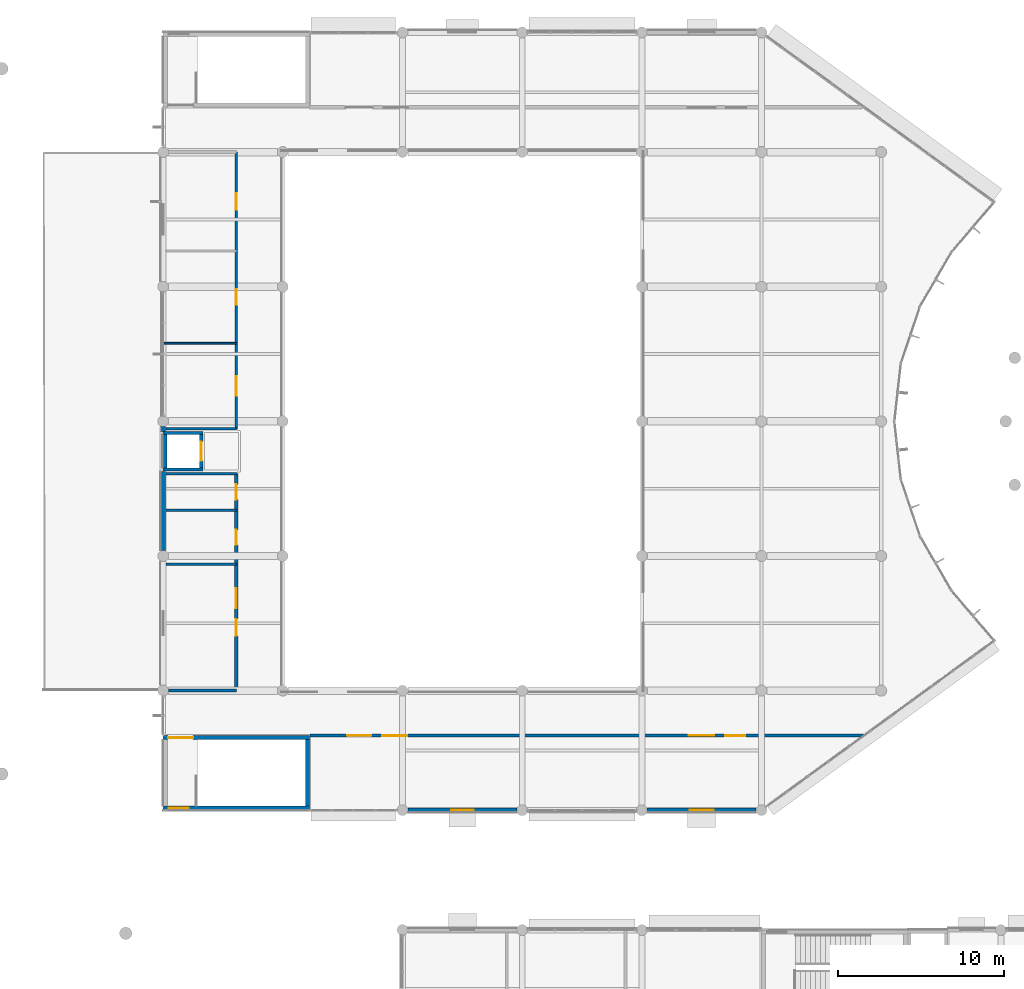
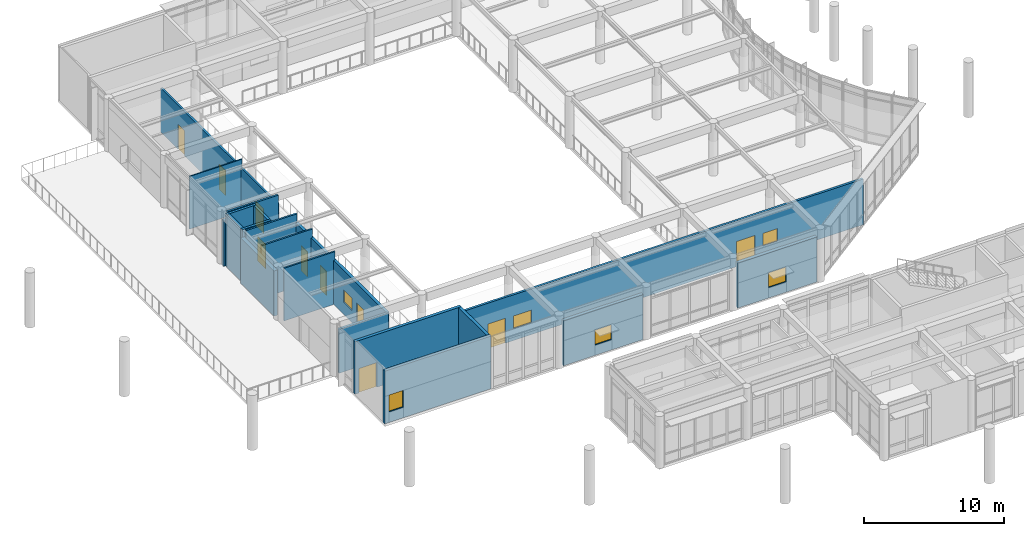
# One storey, part 46 of 92: 20 walls, 10 doors, 6 windows, 16 openings.
"""IFC4 building model written with IfcOpenShell, lengths in metres."""

from ifc_helpers import new_model, si_unit, direction, frame, frame_2d, origin, place, context, subcontext, project, spatial, rectangle, extrude, material, layer, layer_set, type_object, element, fill, save


model = new_model("IFC4")

# Units and contexts
model_context = context("Model", 3, precision=1e-05, world=origin(), true_north=direction((0.0, 1.0)))
body_context = subcontext(model_context, "Body", "Model", "MODEL_VIEW")
ifc_project = project(units=[si_unit("LENGTHUNIT", "METRE"), si_unit("AREAUNIT", "SQUARE_METRE"), si_unit("VOLUMEUNIT", "CUBIC_METRE"), si_unit("PLANEANGLEUNIT", "RADIAN"), si_unit("MASSUNIT", "GRAM", prefix="KILO")], contexts=[model_context])

# Site, building, storey
site_placement = place(None, origin())
site = spatial("IfcSite", under=ifc_project, at=site_placement, CompositionType="ELEMENT")
building_placement = place(site_placement, origin())
building = spatial("IfcBuilding", under=site, at=building_placement, Name="Namkhue Oval Health Centre", CompositionType="ELEMENT")
storey_placement = place(building_placement, frame((0.0, 0.0, 4.800048828125)))
storey = spatial("IfcBuildingStorey", under=building, at=storey_placement, Name="L01", CompositionType="ELEMENT", Elevation=4.800048828125)

# Wall, opening, window
ifc_material_1 = material(Name="Autoclaved aerated concrete blockwork M7.5", Category="masonry")
ifc_layer_1 = layer(ifc_material_1, 0.25)
ifc_layer_set_1 = layer_set([ifc_layer_1], Name="Autoclaved aerated concrete blockwork M7.5")
wall_type_1 = type_object("IfcWallType", Name="EXTERIOR ENVELOPE WALL 250", PredefinedType="STANDARD", material=ifc_layer_set_1)
wall_1_placement = place(storey_placement, frame((36.320068359375, 36.0, 0.0), z_axis=(0.0, 0.0, 1.0), x_axis=(1.0, 0.0, 0.0)))
wall_1 = element("IfcWall", 1, at=wall_1_placement, inside=storey, type_object=wall_type_1, Name="Volume V1 L01 Exterior Envelope Wall 8", PredefinedType="STANDARD", context=body_context, shape_type="SweptSolid", body=[
    extrude(rectangle(XDim=6.559814453125, YDim=0.25, at=frame_2d((3.27978515625, 0.0))), origin(), (0.0, 0.0, 1.0), 3.949951171875),
])
opening_1_placement = place(wall_1_placement, frame((2.60498046875, 0.0, 0.89990234375)))
opening_1 = element("IfcOpeningElement", 2, at=opening_1_placement, cuts=wall_1, Name="Opening WN-05", PredefinedType="OPENING", context=body_context, shape_type="SweptSolid", body=[
    extrude(rectangle(XDim=1.35009765625, YDim=1.300048828125, at=frame_2d((0.675048828125, 0.64990234375))), frame((0.0, 0.135009765625, 0.0), z_axis=(0.0, -1.0, 0.0), x_axis=(1.0, 0.0, 0.0)), (0.0, 0.0, 1.0), 0.27001953125),
])
ifc_material_2 = material(Name="Thermally broken low-E laminated double glazing", Category="glass")
window_type_1 = type_object("IfcWindowType", Name="EXTERIOR WINDOW 1350X1300", PartitioningType="SINGLE_PANEL", PredefinedType="WINDOW", material=ifc_material_2)
window_1_placement = place(opening_1_placement, origin())
window_1 = element("IfcWindow", 3, at=window_1_placement, inside=storey, type_object=window_type_1, Name="Volume V1 L01 Exterior Window 5", OverallHeight=1.300048828125, OverallWidth=1.35009765625, PartitioningType="SINGLE_PANEL", PredefinedType="WINDOW", context=body_context, shape_type="SweptSolid", body=[
    extrude(rectangle(XDim=1.35009765625, YDim=1.300048828125, at=frame_2d((0.675048828125, 0.64990234375))), frame((0.0, 0.030029296875, 0.0), z_axis=(0.0, -1.0, 0.0), x_axis=(1.0, 0.0, 0.0)), (0.0, 0.0, 1.0), 0.06005859375),
])
fill(opening_1, window_1)

ifc_layer_2 = layer(ifc_material_1, 0.260009765625)
ifc_layer_set_2 = layer_set([ifc_layer_2], Name="Autoclaved aerated concrete blockwork M7.5")
wall_type_2 = type_object("IfcWallType", Name="EXTERIOR ENVELOPE WALL 260", PredefinedType="STANDARD", material=ifc_layer_set_2)
wall_2_placement = place(storey_placement, frame((50.719970703125, 36.0, 0.0), z_axis=(0.0, 0.0, 1.0), x_axis=(1.0, 0.0, 0.0)))
wall_2 = element("IfcWall", 4, at=wall_2_placement, inside=storey, type_object=wall_type_2, Name="Volume V1 L01 Exterior Envelope Wall 9", PredefinedType="STANDARD", context=body_context, shape_type="SweptSolid", body=[
    extrude(rectangle(XDim=6.56005859375, YDim=0.260009765625, at=frame_2d((3.280029296875, 0.0))), origin(), (0.0, 0.0, 1.0), 3.949951171875),
])
opening_2_placement = place(wall_2_placement, frame((2.554931640625, 0.0, 0.89990234375)))
opening_2 = element("IfcOpeningElement", 5, at=opening_2_placement, cuts=wall_2, Name="Opening WN-06", PredefinedType="OPENING", context=body_context, shape_type="SweptSolid", body=[
    extrude(rectangle(XDim=1.449951171875, YDim=1.300048828125, at=frame_2d((0.72509765625, 0.64990234375))), frame((0.0, 0.139892578125, 0.0), z_axis=(0.0, -1.0, 0.0), x_axis=(1.0, 0.0, 0.0)), (0.0, 0.0, 1.0), 0.280029296875),
])
window_type_2 = type_object("IfcWindowType", Name="EXTERIOR WINDOW 1450X1300", PartitioningType="SINGLE_PANEL", PredefinedType="WINDOW", material=ifc_material_2)
window_2_placement = place(opening_2_placement, origin())
window_2 = element("IfcWindow", 6, at=window_2_placement, inside=storey, type_object=window_type_2, Name="Volume V1 L01 Exterior Window 6", OverallHeight=1.300048828125, OverallWidth=1.449951171875, PartitioningType="SINGLE_PANEL", PredefinedType="WINDOW", context=body_context, shape_type="SweptSolid", body=[
    extrude(rectangle(XDim=1.449951171875, YDim=1.300048828125, at=frame_2d((0.72509765625, 0.64990234375))), frame((0.0, 0.030029296875, 0.0), z_axis=(0.0, -1.0, 0.0), x_axis=(1.0, 0.0, 0.0)), (0.0, 0.0, 1.0), 0.06005859375),
])
fill(opening_2, window_2)

# Walls
ifc_layer_3 = layer(ifc_material_1, 0.300048828125)
ifc_layer_set_3 = layer_set([ifc_layer_3], Name="Autoclaved aerated concrete blockwork M7.5")
wall_type_3 = type_object("IfcWallType", Name="EXTERIOR ENVELOPE WALL 300", PredefinedType="STANDARD", material=ifc_layer_set_3)
wall_3_placement = place(storey_placement, frame((21.60009765625, 59.080078125, 0.0), z_axis=(0.0, 0.0, 1.0), x_axis=(0.0, -1.0, 0.0)))
element("IfcWall", 7, at=wall_3_placement, inside=storey, type_object=wall_type_3, Name="Volume V1 L01 Exterior Envelope Wall 13", PredefinedType="STANDARD", context=body_context, shape_type="SweptSolid", body=[
    extrude(rectangle(XDim=0.278076171875, YDim=0.300048828125, at=frame_2d((0.13916015625, 0.0))), origin(), (0.0, 0.0, 1.0), 3.949951171875),
])
ifc_layer_4 = layer(ifc_material_1, 0.31005859375)
ifc_layer_set_4 = layer_set([ifc_layer_4], Name="Autoclaved aerated concrete blockwork M7.5")
wall_type_4 = type_object("IfcWallType", Name="EXTERIOR ENVELOPE WALL 310", PredefinedType="STANDARD", material=ifc_layer_set_4)
wall_4_placement = place(storey_placement, frame((21.60009765625, 56.39794921875, 0.0), z_axis=(0.0, 0.0, 1.0), x_axis=(0.0, -1.0, 0.0)))
element("IfcWall", 8, at=wall_4_placement, inside=storey, type_object=wall_type_4, Name="Volume V1 L01 Exterior Envelope Wall 14", PredefinedType="STANDARD", context=body_context, shape_type="SweptSolid", body=[
    extrude(rectangle(XDim=4.77783203125, YDim=0.31005859375, at=frame_2d((2.388916015625, 0.0))), origin(), (0.0, 0.0, 1.0), 3.949951171875),
])

# Wall, openings, doors
ifc_material_3 = material(Name="Gypsum plasterboard acoustic partition", Category="gypsum")
ifc_layer_5 = layer(ifc_material_3, 0.169921875)
ifc_layer_set_5 = layer_set([ifc_layer_5], Name="Gypsum plasterboard acoustic partition")
wall_type_5 = type_object("IfcWallType", Name="FIRE PARTITION WALL 170", PredefinedType="PARTITIONING", material=ifc_layer_set_5)
wall_5_placement = place(storey_placement, frame((26.0, 58.949951171875, 0.0), z_axis=(0.0, 0.0, 1.0), x_axis=(0.0, 1.0, 0.0)))
wall_5 = element("IfcWall", 9, at=wall_5_placement, inside=storey, type_object=wall_type_5, Name="Volume V1 L01 Clinical Partition Wall 22", PredefinedType="PARTITIONING", context=body_context, shape_type="SweptSolid", body=[
    extrude(rectangle(XDim=16.650146484375, YDim=0.169921875, at=frame_2d((8.3251953125, 0.0))), origin(), (0.0, 0.0, 1.0), 3.849853515625),
])
opening_3_placement = place(wall_5_placement, frame((2.0, 0.0, 0.0)))
opening_3 = element("IfcOpeningElement", 10, at=opening_3_placement, cuts=wall_5, Name="Opening CD-12", PredefinedType="OPENING", context=body_context, shape_type="SweptSolid", body=[
    extrude(rectangle(XDim=1.14990234375, YDim=2.1298828125, at=frame_2d((0.574951171875, 1.06494140625))), frame((0.0, 0.094970703125, 0.0), z_axis=(0.0, -1.0, 0.0), x_axis=(1.0, 0.0, 0.0)), (0.0, 0.0, 1.0), 0.18994140625),
])
opening_4_placement = place(wall_5_placement, frame((7.465087890625, 0.0, 0.0)))
opening_4 = element("IfcOpeningElement", 11, at=opening_4_placement, cuts=wall_5, Name="Opening CD-13", PredefinedType="OPENING", context=body_context, shape_type="SweptSolid", body=[
    extrude(rectangle(XDim=0.919921875, YDim=2.179931640625, at=frame_2d((0.4599609375, 1.08984375))), frame((0.0, 0.094970703125, 0.0), z_axis=(0.0, -1.0, 0.0), x_axis=(1.0, 0.0, 0.0)), (0.0, 0.0, 1.0), 0.18994140625),
])
opening_5_placement = place(wall_5_placement, frame((13.18994140625, 0.0, 0.0)))
opening_5 = element("IfcOpeningElement", 12, at=opening_5_placement, cuts=wall_5, Name="Opening CD-14", PredefinedType="OPENING", context=body_context, shape_type="SweptSolid", body=[
    extrude(rectangle(XDim=0.969970703125, YDim=2.179931640625, at=frame_2d((0.48486328125, 1.08984375))), frame((0.0, 0.094970703125, 0.0), z_axis=(0.0, -1.0, 0.0), x_axis=(1.0, 0.0, 0.0)), (0.0, 0.0, 1.0), 0.18994140625),
])
ifc_material_4 = material(Name="High-pressure laminate timber clinical door", Category="wood")
door_type_1 = type_object("IfcDoorType", Name="CLINICAL DOOR 1150X2130", OperationType="NOTDEFINED", PredefinedType="DOOR", material=ifc_material_4)
door_1_placement = place(opening_3_placement, origin())
door_1 = element("IfcDoor", 13, at=door_1_placement, inside=storey, type_object=door_type_1, Name="Volume V1 L01 Telemedicine Consultation Suite Door 14", OperationType="SINGLE_SWING_RIGHT", OverallHeight=2.1298828125, OverallWidth=1.14990234375, PredefinedType="DOOR", context=body_context, shape_type="SweptSolid", body=[
    extrude(rectangle(XDim=1.14990234375, YDim=2.1298828125, at=frame_2d((0.574951171875, 1.06494140625))), frame((0.0, 0.02490234375, 0.0), z_axis=(0.0, -1.0, 0.0), x_axis=(1.0, 0.0, 0.0)), (0.0, 0.0, 1.0), 0.050048828125),
])
fill(opening_3, door_1)
door_type_2 = type_object("IfcDoorType", Name="CLINICAL DOOR 920X2180", OperationType="NOTDEFINED", PredefinedType="DOOR", material=ifc_material_4)
door_2_placement = place(opening_4_placement, origin())
door_2 = element("IfcDoor", 14, at=door_2_placement, inside=storey, type_object=door_type_2, Name="Volume V1 L01 Nutrition Counselling Room Door 15", OperationType="SINGLE_SWING_LEFT", OverallHeight=2.179931640625, OverallWidth=0.919921875, PredefinedType="DOOR", context=body_context, shape_type="SweptSolid", body=[
    extrude(rectangle(XDim=0.919921875, YDim=2.179931640625, at=frame_2d((0.4599609375, 1.08984375))), frame((0.0, 0.02490234375, 0.0), z_axis=(0.0, -1.0, 0.0), x_axis=(1.0, 0.0, 0.0)), (0.0, 0.0, 1.0), 0.050048828125),
])
fill(opening_4, door_2)
door_type_3 = type_object("IfcDoorType", Name="CLINICAL DOOR 970X2180", OperationType="NOTDEFINED", PredefinedType="DOOR", material=ifc_material_4)
door_3_placement = place(opening_5_placement, origin())
door_3 = element("IfcDoor", 15, at=door_3_placement, inside=storey, type_object=door_type_3, Name="Volume V1 L01 Pharmacy Compounding Laboratory Door 16", OperationType="SINGLE_SWING_RIGHT", OverallHeight=2.179931640625, OverallWidth=0.969970703125, PredefinedType="DOOR", context=body_context, shape_type="SweptSolid", body=[
    extrude(rectangle(XDim=0.969970703125, YDim=2.179931640625, at=frame_2d((0.48486328125, 1.08984375))), frame((0.0, 0.02490234375, 0.0), z_axis=(0.0, -1.0, 0.0), x_axis=(1.0, 0.0, 0.0)), (0.0, 0.0, 1.0), 0.050048828125),
])
fill(opening_5, door_3)

# Wall
ifc_layer_6 = layer(ifc_material_3, 0.18505859375)
ifc_layer_set_6 = layer_set([ifc_layer_6], Name="Gypsum plasterboard acoustic partition")
wall_type_6 = type_object("IfcWallType", Name="FIRE PARTITION WALL 185", PredefinedType="PARTITIONING", material=ifc_layer_set_6)
wall_6_placement = place(storey_placement, frame((21.925048828125, 43.199951171875, 0.0), z_axis=(0.0, 0.0, 1.0), x_axis=(1.0, 0.0, 0.0)))
element("IfcWall", 16, at=wall_6_placement, inside=storey, type_object=wall_type_6, Name="Volume V1 L01 Clinical Partition Wall 23", PredefinedType="PARTITIONING", context=body_context, shape_type="SweptSolid", body=[
    extrude(rectangle(XDim=4.074951171875, YDim=0.18505859375, at=frame_2d((2.03759765625, 0.0))), origin(), (0.0, 0.0, 1.0), 3.849853515625),
])

# Wall, openings, doors, windows
ifc_layer_7 = layer(ifc_material_3, 0.195068359375)
ifc_layer_set_7 = layer_set([ifc_layer_7], Name="Gypsum plasterboard acoustic partition")
wall_type_7 = type_object("IfcWallType", Name="FIRE PARTITION WALL 195", PredefinedType="PARTITIONING", material=ifc_layer_set_7)
wall_7_placement = place(storey_placement, frame((30.419921875, 40.5, 0.0), z_axis=(0.0, 0.0, 1.0), x_axis=(1.0, 0.0, 0.0)))
wall_7 = element("IfcWall", 17, at=wall_7_placement, inside=storey, type_object=wall_type_7, Name="Volume V1 L01 Clinical Partition Wall 31", PredefinedType="PARTITIONING", context=body_context, shape_type="SweptSolid", body=[
    extrude(rectangle(XDim=33.31005859375, YDim=0.195068359375, at=frame_2d((16.655029296875, 0.0))), origin(), (0.0, 0.0, 1.0), 4.0),
])
opening_6_placement = place(wall_7_placement, frame((2.25, 0.0, 0.0)))
opening_6 = element("IfcOpeningElement", 18, at=opening_6_placement, cuts=wall_7, Name="Opening CDD-03", PredefinedType="OPENING", context=body_context, shape_type="SweptSolid", body=[
    extrude(rectangle(XDim=1.4599609375, YDim=2.179931640625, at=frame_2d((0.72998046875, 1.08984375))), frame((0.0, 0.107421875, 0.0), z_axis=(0.0, -1.0, 0.0), x_axis=(1.0, 0.0, 0.0)), (0.0, 0.0, 1.0), 0.215087890625),
])
opening_7_placement = place(wall_7_placement, frame((4.360107421875, 0.0, 1.050048828125)))
opening_7 = element("IfcOpeningElement", 19, at=opening_7_placement, cuts=wall_7, Name="Opening IWN-02", PredefinedType="OPENING", context=body_context, shape_type="SweptSolid", body=[
    extrude(rectangle(XDim=1.5, YDim=1.10009765625, at=frame_2d((0.75, 0.550048828125))), frame((0.0, 0.107421875, 0.0), z_axis=(0.0, -1.0, 0.0), x_axis=(1.0, 0.0, 0.0)), (0.0, 0.0, 1.0), 0.215087890625),
])
opening_8_placement = place(wall_7_placement, frame((22.81005859375, 0.0, 0.0)))
opening_8 = element("IfcOpeningElement", 20, at=opening_8_placement, cuts=wall_7, Name="Opening CDD-04", PredefinedType="OPENING", context=body_context, shape_type="SweptSolid", body=[
    extrude(rectangle(XDim=1.5400390625, YDim=2.199951171875, at=frame_2d((0.77001953125, 1.10009765625))), frame((0.0, 0.107421875, 0.0), z_axis=(0.0, -1.0, 0.0), x_axis=(1.0, 0.0, 0.0)), (0.0, 0.0, 1.0), 0.215087890625),
])
opening_9_placement = place(wall_7_placement, frame((25.0, 0.0, 1.050048828125)))
opening_9 = element("IfcOpeningElement", 21, at=opening_9_placement, cuts=wall_7, Name="Opening IWN-01", PredefinedType="OPENING", context=body_context, shape_type="SweptSolid", body=[
    extrude(rectangle(XDim=1.199951171875, YDim=1.10009765625, at=frame_2d((0.60009765625, 0.550048828125))), frame((0.0, 0.107421875, 0.0), z_axis=(0.0, -1.0, 0.0), x_axis=(1.0, 0.0, 0.0)), (0.0, 0.0, 1.0), 0.215087890625),
])
ifc_material_5 = material(Name="Powder-coated steel fire door assembly", Category="steel")
door_type_4 = type_object("IfcDoorType", Name="CLINICAL DOOR DOUBLE 1460X2180", OperationType="DOUBLE_DOOR_SINGLE_SWING", PredefinedType="DOOR", material=ifc_material_5)
door_4_placement = place(opening_6_placement, origin())
door_4 = element("IfcDoor", 22, at=door_4_placement, inside=storey, type_object=door_type_4, Name="Volume V1 L01 Antenatal Clinic West Door 17", OperationType="DOUBLE_DOOR_SINGLE_SWING", OverallHeight=2.179931640625, OverallWidth=1.4599609375, PredefinedType="DOOR", context=body_context, shape_type="SweptSolid", body=[
    extrude(rectangle(XDim=1.4599609375, YDim=2.179931640625, at=frame_2d((0.72998046875, 1.08984375))), frame((0.0, 0.02490234375, 0.0), z_axis=(0.0, -1.0, 0.0), x_axis=(1.0, 0.0, 0.0)), (0.0, 0.0, 1.0), 0.050048828125),
])
fill(opening_6, door_4)
door_type_5 = type_object("IfcDoorType", Name="CLINICAL DOOR DOUBLE 1540X2200", OperationType="DOUBLE_DOOR_SINGLE_SWING", PredefinedType="DOOR", material=ifc_material_5)
door_5_placement = place(opening_8_placement, origin())
door_5 = element("IfcDoor", 23, at=door_5_placement, inside=storey, type_object=door_type_5, Name="Volume V1 L01 Antenatal Clinic Gallery Door 18", OperationType="DOUBLE_DOOR_SINGLE_SWING", OverallHeight=2.199951171875, OverallWidth=1.5400390625, PredefinedType="DOOR", context=body_context, shape_type="SweptSolid", body=[
    extrude(rectangle(XDim=1.5400390625, YDim=2.199951171875, at=frame_2d((0.77001953125, 1.10009765625))), frame((0.0, 0.02490234375, 0.0), z_axis=(0.0, -1.0, 0.0), x_axis=(1.0, 0.0, 0.0)), (0.0, 0.0, 1.0), 0.050048828125),
])
fill(opening_8, door_5)
ifc_material_6 = material(Name="Lead-equivalent radiation-shielded observation glass", Category="glass")
window_type_3 = type_object("IfcWindowType", Name="COURTYARD WINDOW OBSERVATION 1200X1100", PartitioningType="SINGLE_PANEL", PredefinedType="WINDOW", material=ifc_material_6)
window_3_placement = place(opening_9_placement, origin())
window_3 = element("IfcWindow", 24, at=window_3_placement, inside=storey, type_object=window_type_3, Name="Volume V1 L01 Clinical Observation Window 4", OverallHeight=1.10009765625, OverallWidth=1.199951171875, PartitioningType="SINGLE_PANEL", PredefinedType="WINDOW", context=body_context, shape_type="SweptSolid", body=[
    extrude(rectangle(XDim=1.199951171875, YDim=1.10009765625, at=frame_2d((0.60009765625, 0.550048828125))), frame((0.0, 0.030029296875, 0.0), z_axis=(0.0, -1.0, 0.0), x_axis=(1.0, 0.0, 0.0)), (0.0, 0.0, 1.0), 0.06005859375),
])
fill(opening_9, window_3)
window_type_4 = type_object("IfcWindowType", Name="COURTYARD WINDOW OBSERVATION 1500X1100", PartitioningType="SINGLE_PANEL", PredefinedType="WINDOW", material=ifc_material_6)
window_4_placement = place(opening_7_placement, origin())
window_4 = element("IfcWindow", 25, at=window_4_placement, inside=storey, type_object=window_type_4, Name="Volume V1 L01 Clinical Observation Window 3", OverallHeight=1.10009765625, OverallWidth=1.5, PartitioningType="SINGLE_PANEL", PredefinedType="WINDOW", context=body_context, shape_type="SweptSolid", body=[
    extrude(rectangle(XDim=1.5, YDim=1.10009765625, at=frame_2d((0.75, 0.550048828125))), frame((0.0, 0.030029296875, 0.0), z_axis=(0.0, -1.0, 0.0), x_axis=(1.0, 0.0, 0.0)), (0.0, 0.0, 1.0), 0.06005859375),
])
fill(opening_7, window_4)

# Wall, openings, doors, window
ifc_material_7 = material(Name="Lead-lined barium plasterboard radiation partition", Category="gypsum")
ifc_layer_8 = layer(ifc_material_7, 0.235107421875)
ifc_layer_set_8 = layer_set([ifc_layer_8], Name="Lead-lined barium plasterboard radiation partition")
wall_type_8 = type_object("IfcWallType", Name="FIRE PARTITION WALL 235", PredefinedType="PARTITIONING", material=ifc_layer_set_8)
wall_8_placement = place(storey_placement, frame((26.0, 43.199951171875, 0.0), z_axis=(0.0, 0.0, 1.0), x_axis=(0.0, 1.0, 0.0)))
wall_8 = element("IfcWall", 26, at=wall_8_placement, inside=storey, type_object=wall_type_8, Name="Volume V1 L01 Clinical Partition Wall 21", PredefinedType="PARTITIONING", context=body_context, shape_type="SweptSolid", body=[
    extrude(rectangle(XDim=13.050048828125, YDim=0.235107421875, at=frame_2d((6.52490234375, 0.0))), origin(), (0.0, 0.0, 1.0), 3.849853515625),
])
opening_10_placement = place(wall_8_placement, frame((3.300048828125, 0.0, 0.0)))
opening_10 = element("IfcOpeningElement", 27, at=opening_10_placement, cuts=wall_8, Name="Opening CD-09", PredefinedType="OPENING", context=body_context, shape_type="SweptSolid", body=[
    extrude(rectangle(XDim=1.0, YDim=2.1298828125, at=frame_2d((0.5, 1.06494140625))), frame((0.0, 0.12744140625, 0.0), z_axis=(0.0, -1.0, 0.0), x_axis=(1.0, 0.0, 0.0)), (0.0, 0.0, 1.0), 0.255126953125),
])
opening_11_placement = place(wall_8_placement, frame((4.949951171875, 0.0, 1.050048828125)))
opening_11 = element("IfcOpeningElement", 28, at=opening_11_placement, cuts=wall_8, Name="Opening IWN-01", PredefinedType="OPENING", context=body_context, shape_type="SweptSolid", body=[
    extrude(rectangle(XDim=1.199951171875, YDim=1.10009765625, at=frame_2d((0.60009765625, 0.550048828125))), frame((0.0, 0.12744140625, 0.0), z_axis=(0.0, -1.0, 0.0), x_axis=(1.0, 0.0, 0.0)), (0.0, 0.0, 1.0), 0.255126953125),
])
opening_12_placement = place(wall_8_placement, frame((8.77490234375, 0.0, 0.0)))
opening_12 = element("IfcOpeningElement", 29, at=opening_12_placement, cuts=wall_8, Name="Opening CD-07", PredefinedType="OPENING", context=body_context, shape_type="SweptSolid", body=[
    extrude(rectangle(XDim=0.89990234375, YDim=2.1298828125, at=frame_2d((0.449951171875, 1.06494140625))), frame((0.0, 0.12744140625, 0.0), z_axis=(0.0, -1.0, 0.0), x_axis=(1.0, 0.0, 0.0)), (0.0, 0.0, 1.0), 0.255126953125),
])
opening_13_placement = place(wall_8_placement, frame((11.489990234375, 0.0, 0.0)))
opening_13 = element("IfcOpeningElement", 30, at=opening_13_placement, cuts=wall_8, Name="Opening CD-13", PredefinedType="OPENING", context=body_context, shape_type="SweptSolid", body=[
    extrude(rectangle(XDim=0.919921875, YDim=2.179931640625, at=frame_2d((0.4599609375, 1.08984375))), frame((0.0, 0.12744140625, 0.0), z_axis=(0.0, -1.0, 0.0), x_axis=(1.0, 0.0, 0.0)), (0.0, 0.0, 1.0), 0.255126953125),
])
door_type_6 = type_object("IfcDoorType", Name="CLINICAL DOOR 1000X2130", OperationType="NOTDEFINED", PredefinedType="DOOR", material=ifc_material_4)
door_6_placement = place(opening_10_placement, origin())
door_6 = element("IfcDoor", 31, at=door_6_placement, inside=storey, type_object=door_type_6, Name="Volume V1 L01 Waiting Hall West Terrace Lounge Door 11", OperationType="SINGLE_SWING_LEFT", OverallHeight=2.1298828125, OverallWidth=1.0, PredefinedType="DOOR", context=body_context, shape_type="SweptSolid", body=[
    extrude(rectangle(XDim=1.0, YDim=2.1298828125, at=frame_2d((0.5, 1.06494140625))), frame((0.0, 0.02490234375, 0.0), z_axis=(0.0, -1.0, 0.0), x_axis=(1.0, 0.0, 0.0)), (0.0, 0.0, 1.0), 0.050048828125),
])
fill(opening_10, door_6)
door_type_7 = type_object("IfcDoorType", Name="CLINICAL DOOR 900X2130", OperationType="NOTDEFINED", PredefinedType="DOOR", material=ifc_material_4)
door_7_placement = place(opening_12_placement, origin())
door_7 = element("IfcDoor", 32, at=door_7_placement, inside=storey, type_object=door_type_7, Name="Volume V1 L01 Public Washroom Door 12", OperationType="SINGLE_SWING_RIGHT", OverallHeight=2.1298828125, OverallWidth=0.89990234375, PredefinedType="DOOR", context=body_context, shape_type="SweptSolid", body=[
    extrude(rectangle(XDim=0.89990234375, YDim=2.1298828125, at=frame_2d((0.449951171875, 1.06494140625))), frame((0.0, 0.02490234375, 0.0), z_axis=(0.0, -1.0, 0.0), x_axis=(1.0, 0.0, 0.0)), (0.0, 0.0, 1.0), 0.050048828125),
])
fill(opening_12, door_7)
door_8_placement = place(opening_13_placement, origin())
door_8 = element("IfcDoor", 33, at=door_8_placement, inside=storey, type_object=door_type_2, Name="Volume V1 L01 Accessible WC Door 13", OperationType="SINGLE_SWING_LEFT", OverallHeight=2.179931640625, OverallWidth=0.919921875, PredefinedType="DOOR", context=body_context, shape_type="SweptSolid", body=[
    extrude(rectangle(XDim=0.919921875, YDim=2.179931640625, at=frame_2d((0.4599609375, 1.08984375))), frame((0.0, 0.02490234375, 0.0), z_axis=(0.0, -1.0, 0.0), x_axis=(1.0, 0.0, 0.0)), (0.0, 0.0, 1.0), 0.050048828125),
])
fill(opening_13, door_8)
window_5_placement = place(opening_11_placement, origin())
window_5 = element("IfcWindow", 34, at=window_5_placement, inside=storey, type_object=window_type_3, Name="Volume V1 L01 Clinical Observation Window 2", OverallHeight=1.10009765625, OverallWidth=1.199951171875, PartitioningType="SINGLE_PANEL", PredefinedType="WINDOW", context=body_context, shape_type="SweptSolid", body=[
    extrude(rectangle(XDim=1.199951171875, YDim=1.10009765625, at=frame_2d((0.60009765625, 0.550048828125))), frame((0.0, 0.030029296875, 0.0), z_axis=(0.0, -1.0, 0.0), x_axis=(1.0, 0.0, 0.0)), (0.0, 0.0, 1.0), 0.06005859375),
])
fill(opening_11, window_5)

# Walls
ifc_layer_9 = layer(ifc_material_3, 0.10009765625)
ifc_layer_set_9 = layer_set([ifc_layer_9], Name="Gypsum plasterboard acoustic partition")
wall_type_9 = type_object("IfcWallType", Name="INTERIOR PARTITION WALL 100", PredefinedType="PARTITIONING", material=ifc_layer_set_9)
wall_9_placement = place(storey_placement, frame((21.639892578125, 64.10009765625, 0.0), z_axis=(0.0, 0.0, 1.0), x_axis=(1.0, 0.0, 0.0)))
element("IfcWall", 35, at=wall_9_placement, inside=storey, type_object=wall_type_9, Name="Volume V1 L01 Clinical Partition Wall 29", PredefinedType="PARTITIONING", context=body_context, shape_type="SweptSolid", body=[
    extrude(rectangle(XDim=4.360107421875, YDim=0.10009765625, at=frame_2d((2.18017578125, 0.0))), origin(), (0.0, 0.0, 1.0), 4.599853515625),
])
ifc_layer_10 = layer(ifc_material_3, 0.1298828125)
ifc_layer_set_10 = layer_set([ifc_layer_10], Name="Gypsum plasterboard acoustic partition")
wall_type_10 = type_object("IfcWallType", Name="INTERIOR PARTITION WALL 130", PredefinedType="PARTITIONING", material=ifc_layer_set_10)
wall_10_placement = place(storey_placement, frame((21.781982421875, 50.800048828125, 0.0), z_axis=(0.0, 0.0, 1.0), x_axis=(1.0, 0.0, 0.0)))
element("IfcWall", 36, at=wall_10_placement, inside=storey, type_object=wall_type_10, Name="Volume V1 L01 Clinical Partition Wall 25", PredefinedType="PARTITIONING", context=body_context, shape_type="SweptSolid", body=[
    extrude(rectangle(XDim=4.218017578125, YDim=0.1298828125, at=frame_2d((2.10888671875, 0.0))), origin(), (0.0, 0.0, 1.0), 4.599853515625),
])
ifc_layer_11 = layer(ifc_material_3, 0.139892578125)
ifc_layer_set_11 = layer_set([ifc_layer_11], Name="Gypsum plasterboard acoustic partition")
wall_type_11 = type_object("IfcWallType", Name="INTERIOR PARTITION WALL 140", PredefinedType="PARTITIONING", material=ifc_layer_set_11)
wall_11_placement = place(storey_placement, frame((21.777099609375, 54.050048828125, 0.0), z_axis=(0.0, 0.0, 1.0), x_axis=(1.0, 0.0, 0.0)))
element("IfcWall", 37, at=wall_11_placement, inside=storey, type_object=wall_type_11, Name="Volume V1 L01 Clinical Partition Wall 26", PredefinedType="PARTITIONING", context=body_context, shape_type="SweptSolid", body=[
    extrude(rectangle(XDim=4.222900390625, YDim=0.139892578125, at=frame_2d((2.111328125, 0.0))), origin(), (0.0, 0.0, 1.0), 4.599853515625),
])
ifc_layer_12 = layer(ifc_material_3, 0.14990234375)
ifc_layer_set_12 = layer_set([ifc_layer_12], Name="Gypsum plasterboard acoustic partition")
wall_type_12 = type_object("IfcWallType", Name="INTERIOR PARTITION WALL 150", PredefinedType="PARTITIONING", material=ifc_layer_set_12)
wall_12_placement = place(storey_placement, frame((21.777099609375, 56.25, 0.0), z_axis=(0.0, 0.0, 1.0), x_axis=(1.0, 0.0, 0.0)))
element("IfcWall", 38, at=wall_12_placement, inside=storey, type_object=wall_type_12, Name="Volume V1 L01 Clinical Partition Wall 27", PredefinedType="PARTITIONING", context=body_context, shape_type="SweptSolid", body=[
    extrude(rectangle(XDim=4.222900390625, YDim=0.14990234375, at=frame_2d((2.111328125, 0.0))), origin(), (0.0, 0.0, 1.0), 4.599853515625),
])
ifc_layer_13 = layer(ifc_material_3, 0.159912109375)
ifc_layer_set_13 = layer_set([ifc_layer_13], Name="Gypsum plasterboard acoustic partition")
wall_type_13 = type_object("IfcWallType", Name="INTERIOR PARTITION WALL 160", PredefinedType="PARTITIONING", material=ifc_layer_set_13)
wall_13_placement = place(storey_placement, frame((21.77197265625, 58.949951171875, 0.0), z_axis=(0.0, 0.0, 1.0), x_axis=(1.0, 0.0, 0.0)))
element("IfcWall", 39, at=wall_13_placement, inside=storey, type_object=wall_type_13, Name="Volume V1 L01 Clinical Partition Wall 28", PredefinedType="PARTITIONING", context=body_context, shape_type="SweptSolid", body=[
    extrude(rectangle(XDim=4.22802734375, YDim=0.159912109375, at=frame_2d((2.114013671875, 0.0))), origin(), (0.0, 0.0, 1.0), 4.599853515625),
])

# Wall, opening, window
ifc_material_8 = material(Name="Reinforced concrete C35/45 (TCVN B40)", Category="concrete")
ifc_layer_14 = layer(ifc_material_8, 0.25)
ifc_layer_set_14 = layer_set([ifc_layer_14], Name="Reinforced concrete C35/45 (TCVN B40)")
wall_type_14 = type_object("IfcWallType", Name="SHEAR CORE WALL EXT 250", PredefinedType="SHEAR", material=ifc_layer_set_14)
wall_14_placement = place(storey_placement, frame((21.60009765625, 36.125, 0.0), z_axis=(0.0, 0.0, 1.0), x_axis=(1.0, 0.0, 0.0)))
wall_14 = element("IfcWall", 40, at=wall_14_placement, inside=storey, type_object=wall_type_14, Name="Core SC-01 L01 Shear Wall S", PredefinedType="SHEAR", context=body_context, shape_type="SweptSolid", body=[
    extrude(rectangle(XDim=8.7998046875, YDim=0.25, at=frame_2d((4.39990234375, 0.0))), origin(), (0.0, 0.0, 1.0), 4.599853515625),
])
opening_14_placement = place(wall_14_placement, frame((0.35009765625, 0.0, 0.919921875)))
opening_14 = element("IfcOpeningElement", 41, at=opening_14_placement, cuts=wall_14, Name="Opening SWN-01", PredefinedType="OPENING", context=body_context, shape_type="SweptSolid", body=[
    extrude(rectangle(XDim=1.179931640625, YDim=1.47998046875, at=frame_2d((0.58984375, 0.739990234375))), frame((0.0, 0.135009765625, 0.0), z_axis=(0.0, -1.0, 0.0), x_axis=(1.0, 0.0, 0.0)), (0.0, 0.0, 1.0), 0.27001953125),
])
ifc_material_9 = material(Name="Fire-rated insulated safety double glazing", Category="glass")
window_type_5 = type_object("IfcWindowType", Name="EXTERIOR WINDOW STAIRWELL 1180X1480", PartitioningType="SINGLE_PANEL", PredefinedType="WINDOW", material=ifc_material_9)
window_6_placement = place(opening_14_placement, origin())
window_6 = element("IfcWindow", 42, at=window_6_placement, inside=storey, type_object=window_type_5, Name="Stair ST-01 L01 Stairwell Daylight Window", OverallHeight=1.47998046875, OverallWidth=1.179931640625, PartitioningType="SINGLE_PANEL", PredefinedType="WINDOW", context=body_context, shape_type="SweptSolid", body=[
    extrude(rectangle(XDim=1.179931640625, YDim=1.47998046875, at=frame_2d((0.58984375, 0.739990234375))), frame((0.0, 0.030029296875, 0.0), z_axis=(0.0, -1.0, 0.0), x_axis=(1.0, 0.0, 0.0)), (0.0, 0.0, 1.0), 0.06005859375),
])
fill(opening_14, window_6)

# Walls
wall_15_placement = place(storey_placement, frame((21.699951171875, 58.60009765625, 0.0), z_axis=(0.0, 0.0, 1.0), x_axis=(0.0, -1.0, 0.0)))
element("IfcWall", 43, at=wall_15_placement, inside=storey, type_object=wall_type_14, Name="Lift LF-08 L01 Shaft Wall W", PredefinedType="SHEAR", context=body_context, shape_type="SweptSolid", body=[
    extrude(rectangle(XDim=2.0, YDim=0.25, at=frame_2d((1.0, 0.0))), origin(), (0.0, 0.0, 1.0), 4.599853515625),
])
ifc_layer_15 = layer(ifc_material_8, 0.199951171875)
ifc_layer_set_15 = layer_set([ifc_layer_15], Name="Reinforced concrete C35/45 (TCVN B40)")
wall_type_15 = type_object("IfcWallType", Name="SHEAR CORE WALL INT 200", PredefinedType="SHEAR", material=ifc_layer_set_15)
wall_16_placement = place(storey_placement, frame((21.60009765625, 56.5, 0.0), z_axis=(0.0, 0.0, 1.0), x_axis=(1.0, 0.0, 0.0)))
element("IfcWall", 44, at=wall_16_placement, inside=storey, type_object=wall_type_15, Name="Lift LF-08 L01 Shaft Wall S", PredefinedType="SHEAR", context=body_context, shape_type="SweptSolid", body=[
    extrude(rectangle(XDim=2.39990234375, YDim=0.199951171875, at=frame_2d((1.199951171875, 0.0))), origin(), (0.0, 0.0, 1.0), 4.599853515625),
])

# Wall, opening, door
wall_17_placement = place(storey_placement, frame((23.89990234375, 56.60009765625, 0.0), z_axis=(0.0, 0.0, 1.0), x_axis=(0.0, 1.0, 0.0)))
wall_17 = element("IfcWall", 45, at=wall_17_placement, inside=storey, type_object=wall_type_15, Name="Lift LF-08 L01 Shaft Wall E", PredefinedType="SHEAR", context=body_context, shape_type="SweptSolid", body=[
    extrude(rectangle(XDim=2.0, YDim=0.199951171875, at=frame_2d((1.0, 0.0))), origin(), (0.0, 0.0, 1.0), 4.599853515625),
])
opening_15_placement = place(wall_17_placement, frame((0.425048828125, 0.0, 0.0)))
opening_15 = element("IfcOpeningElement", 46, at=opening_15_placement, cuts=wall_17, Name="Opening LD-02", PredefinedType="OPENING", context=body_context, shape_type="SweptSolid", body=[
    extrude(rectangle(XDim=1.14990234375, YDim=2.14990234375, at=frame_2d((0.574951171875, 1.074951171875))), frame((0.0, 0.10986328125, 0.0), z_axis=(0.0, -1.0, 0.0), x_axis=(1.0, 0.0, 0.0)), (0.0, 0.0, 1.0), 0.219970703125),
])
door_type_8 = type_object("IfcDoorType", Name="LIFT LANDING DOOR PASSENGER 1150X2150", OperationType="DOUBLE_DOOR_SLIDING", PredefinedType="DOOR", material=ifc_material_5)
door_9_placement = place(opening_15_placement, frame((1.14990234375, 0.0, 0.0), z_axis=(0.0, 0.0, 1.0), x_axis=(-1.0, 0.0, 0.0)))
door_9 = element("IfcDoor", 47, at=door_9_placement, inside=storey, type_object=door_type_8, Name="Lift LF-08 L01 Sliding Landing Door", OperationType="DOUBLE_DOOR_SLIDING", OverallHeight=2.14990234375, OverallWidth=1.14990234375, PredefinedType="DOOR", context=body_context, shape_type="SweptSolid", body=[
    extrude(rectangle(XDim=1.14990234375, YDim=2.14990234375, at=frame_2d((0.574951171875, 1.074951171875))), frame((0.0, 0.02490234375, 0.0), z_axis=(0.0, -1.0, 0.0), x_axis=(1.0, 0.0, 0.0)), (0.0, 0.0, 1.0), 0.050048828125),
])
fill(opening_15, door_9)

# Walls
wall_18_placement = place(storey_placement, frame((24.0, 58.699951171875, 0.0), z_axis=(0.0, 0.0, 1.0), x_axis=(-1.0, 0.0, 0.0)))
element("IfcWall", 48, at=wall_18_placement, inside=storey, type_object=wall_type_15, Name="Lift LF-08 L01 Shaft Wall N", PredefinedType="SHEAR", context=body_context, shape_type="SweptSolid", body=[
    extrude(rectangle(XDim=2.39990234375, YDim=0.199951171875, at=frame_2d((1.199951171875, 0.0))), origin(), (0.0, 0.0, 1.0), 4.599853515625),
])
ifc_layer_16 = layer(ifc_material_8, 0.25)
ifc_layer_set_16 = layer_set([ifc_layer_16], Name="Reinforced concrete C35/45 (TCVN B40)")
wall_type_16 = type_object("IfcWallType", Name="SHEAR CORE WALL INT 250", PredefinedType="SHEAR", material=ifc_layer_set_16)
wall_19_placement = place(storey_placement, frame((30.27490234375, 36.25, 0.0), z_axis=(0.0, 0.0, 1.0), x_axis=(0.0, 1.0, 0.0)))
element("IfcWall", 49, at=wall_19_placement, inside=storey, type_object=wall_type_16, Name="Core SC-01 L01 Shear Wall E", PredefinedType="SHEAR", context=body_context, shape_type="SweptSolid", body=[
    extrude(rectangle(XDim=4.0, YDim=0.25, at=frame_2d((2.0, 0.0))), origin(), (0.0, 0.0, 1.0), 4.599853515625),
])

# Wall, opening, door
wall_20_placement = place(storey_placement, frame((30.39990234375, 40.375, 0.0), z_axis=(0.0, 0.0, 1.0), x_axis=(-1.0, 0.0, 0.0)))
wall_20 = element("IfcWall", 50, at=wall_20_placement, inside=storey, type_object=wall_type_16, Name="Core SC-01 L01 Shear Wall N", PredefinedType="SHEAR", context=body_context, shape_type="SweptSolid", body=[
    extrude(rectangle(XDim=8.7998046875, YDim=0.25, at=frame_2d((4.39990234375, 0.0))), origin(), (0.0, 0.0, 1.0), 4.599853515625),
])
opening_16_placement = place(wall_20_placement, frame((7.0, 0.0, 0.0)))
opening_16 = element("IfcOpeningElement", 51, at=opening_16_placement, cuts=wall_20, Name="Opening SD-I1", PredefinedType="OPENING", context=body_context, shape_type="SweptSolid", body=[
    extrude(rectangle(XDim=1.5, YDim=2.14990234375, at=frame_2d((0.75, 1.074951171875))), frame((0.0, 0.135009765625, 0.0), z_axis=(0.0, -1.0, 0.0), x_axis=(1.0, 0.0, 0.0)), (0.0, 0.0, 1.0), 0.27001953125),
])
door_type_9 = type_object("IfcDoorType", Name="CLINICAL DOOR STAIR CORE 1500X2150", OperationType="DOUBLE_DOOR_SINGLE_SWING", PredefinedType="DOOR", material=ifc_material_5)
door_10_placement = place(opening_16_placement, origin())
door_10 = element("IfcDoor", 52, at=door_10_placement, inside=storey, type_object=door_type_9, Name="Stair ST-01 L01 Stair Enclosure Fire Door", OperationType="DOUBLE_DOOR_SINGLE_SWING", OverallHeight=2.14990234375, OverallWidth=1.5, PredefinedType="DOOR", context=body_context, shape_type="SweptSolid", body=[
    extrude(rectangle(XDim=1.5, YDim=2.14990234375, at=frame_2d((0.75, 1.074951171875))), frame((0.0, 0.02490234375, 0.0), z_axis=(0.0, -1.0, 0.0), x_axis=(1.0, 0.0, 0.0)), (0.0, 0.0, 1.0), 0.050048828125),
])
fill(opening_16, door_10)

save(model, "model.ifc")
